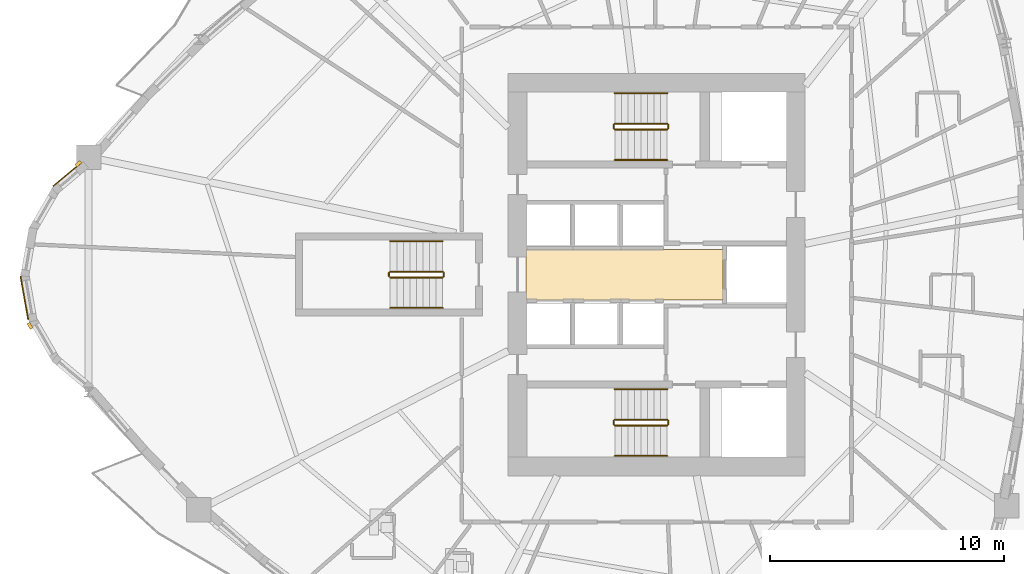
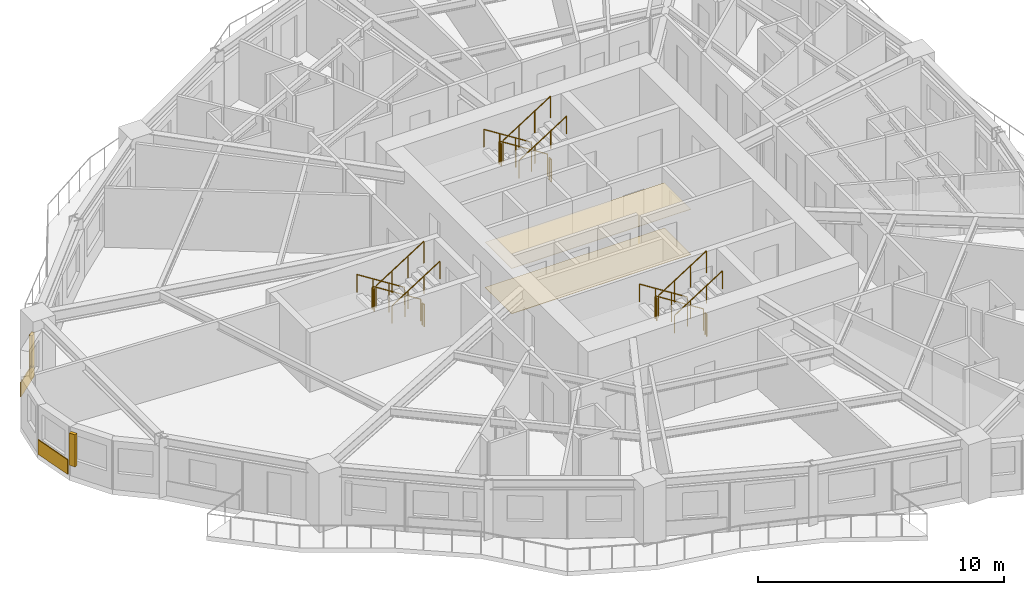
# One storey, part 12 of 14: 18 railings, 4 coverings, 2 shading devices.
"""IFC4 building model written with IfcOpenShell, lengths in metres."""

from ifc_helpers import new_model, si_unit, direction, frame, origin, origin_2d, place, context, subcontext, project, spatial, polyline, rectangle, circle, outline, extrude, source, transform, mapped, material, layer, layer_set, type_object, element, save


model = new_model("IFC4")

# Units and contexts
model_context = context("Model", 3, precision=1e-05, world=origin(), true_north=direction((0.0, 1.0)))
body_context = subcontext(model_context, "Body", "Model", "MODEL_VIEW")
ifc_project = project(units=[si_unit("LENGTHUNIT", "METRE"), si_unit("AREAUNIT", "SQUARE_METRE"), si_unit("VOLUMEUNIT", "CUBIC_METRE"), si_unit("PLANEANGLEUNIT", "RADIAN"), si_unit("MASSUNIT", "GRAM", prefix="KILO")], contexts=[model_context])

# Site, building, storey
site_placement = place(None, origin())
site = spatial("IfcSite", under=ifc_project, at=site_placement, CompositionType="ELEMENT")
building_placement = place(site_placement, origin())
building = spatial("IfcBuilding", under=site, at=building_placement, Name="Qafzar Sky-Pleat Residences", CompositionType="ELEMENT")
storey_placement = place(building_placement, frame((0.0, 0.0, 39.800048828125)))
storey = spatial("IfcBuildingStorey", under=building, at=storey_placement, Name="L11", CompositionType="ELEMENT", Elevation=39.800048828125)

# Coverings
ifc_material_1 = material(Name="Perforated acoustic gypsum board ceiling")
ifc_layer_1 = layer(ifc_material_1, 0.02001953125)
ifc_layer_set_1 = layer_set([ifc_layer_1], Name="Perforated acoustic gypsum board ceiling")
covering_type_1 = type_object("IfcCoveringType", Name="COV-CEIL-ACOUSTIC", PredefinedType="CEILING", material=ifc_layer_set_1)
covering_1_placement = place(storey_placement, frame((0.0, 0.0, 2.239990234375)))
element("IfcCovering", 1, at=covering_1_placement, inside=storey, type_object=covering_type_1, Name="L11 Passenger Lift Lobby Acoustic Ceiling", PredefinedType="CEILING", context=body_context, shape_type="SweptSolid", body=[
    extrude(outline(polyline([(33.179931640625, 24.919921875), (24.77001953125, 24.919921875), (24.77001953125, 27.080078125), (33.179931640625, 27.080078125), (33.179931640625, 24.919921875)])), origin(), (0.0, 0.0, 1.0), 0.02001953125),
])
ifc_material_2 = material(Name="Honed porcelain and Riyadh stone tile flooring", Category="masonry")
ifc_layer_2 = layer(ifc_material_2, 0.02001953125)
ifc_layer_set_2 = layer_set([ifc_layer_2], Name="Honed porcelain and Riyadh stone tile flooring")
covering_type_2 = type_object("IfcCoveringType", Name="COV-FLR-PORCELAIN", PredefinedType="FLOORING", material=ifc_layer_set_2)
covering_2_placement = place(storey_placement, origin())
element("IfcCovering", 2, at=covering_2_placement, inside=storey, type_object=covering_type_2, Name="L11 Passenger Lift Lobby Honed Stone Flooring", PredefinedType="FLOORING", context=body_context, shape_type="SweptSolid", body=[
    extrude(outline(polyline([(33.179931640625, 24.919921875), (24.77001953125, 24.919921875), (24.77001953125, 27.080078125), (33.179931640625, 27.080078125), (33.179931640625, 24.919921875)])), origin(), (0.0, 0.0, 1.0), 0.02001953125),
])
ifc_material_3 = material(Name="Honed Riyadh Tuwaiq limestone cladding", Category="masonry")
ifc_layer_3 = layer(ifc_material_3, 0.044921875)
ifc_layer_set_3 = layer_set([ifc_layer_3], Name="Honed Riyadh Tuwaiq limestone cladding")
covering_type_3 = type_object("IfcCoveringType", Name="COV-CLAD-STONE", PredefinedType="CLADDING", material=ifc_layer_set_3)
shared_shape_1 = source(origin(), body_context, "Body", "SweptSolid", [
    extrude(rectangle(XDim=1.5771484375, YDim=0.044921875, at=origin_2d()), origin(), (0.0, 0.0, 1.0), 0.719970703125),
])
covering_3_placement = place(storey_placement, frame((5.14990234375, 30.28369140625, 0.02001953125), z_axis=(0.0, 0.0, 1.0), x_axis=(-0.766074606481, -0.642751660678, 0.0)))
element("IfcCovering", 3, at=covering_3_placement, inside=storey, type_object=covering_type_3, Name="L11 Riyadh Limestone Spandrel Cladding 1", PredefinedType="CLADDING", context=body_context, shape_type="MappedRepresentation", body=[
    mapped(shared_shape_1, transform((0.0, 0.0, 0.0), x_axis=(1.0, 0.0, 0.0), y_axis=(0.0, 1.0, 0.0), z_axis=(0.0, 0.0, 1.0), scale=1.0)),
])

# Shading devices
ifc_material_4 = material(Name="Honed Riyadh limestone solar fin", Category="masonry")
ifc_layer_4 = layer(ifc_material_4, 0.139892578125)
ifc_layer_set_4 = layer_set([ifc_layer_4], Name="Honed Riyadh limestone solar fin")
shading_device_type = type_object("IfcShadingDeviceType", Name="SHD-FIN-STONE", PredefinedType="SHUTTER", material=ifc_layer_set_4)
shared_shape_2 = source(origin(), body_context, "Body", "SweptSolid", [
    extrude(rectangle(XDim=0.139892578125, YDim=0.280029296875, at=origin_2d()), origin(), (0.0, 0.0, 1.0), 1.60009765625),
])
for number, where, z_axis, x_axis, name in (
    (4, (5.627685546875, 30.740966796875, 0.599853515625), (0.0, 0.0, 1.0), (-0.642754210861, 0.76607246682, 0.0), "L11 Limestone Solar Fin 1"),
    (5, (3.5595703125, 23.80859375, 0.599853515625), (0.0, 0.0, 1.0), (-0.86604422228, -0.499967403994, 0.0), "L11 Limestone Solar Fin 5"),
):
    element("IfcShadingDevice", number, at=place(storey_placement, frame(where, z_axis=z_axis, x_axis=x_axis)), inside=storey, type_object=shading_device_type, Name=name, PredefinedType="SHUTTER", context=body_context, shape_type="MappedRepresentation", body=[
        mapped(shared_shape_2, transform((0.0, 0.0, 0.0), x_axis=(1.0, 0.0, 0.0), y_axis=(0.0, 1.0, 0.0), z_axis=(0.0, 0.0, 1.0), scale=1.0)),
    ])

# Covering
shared_shape_3 = source(origin(), body_context, "Body", "SweptSolid", [
    extrude(rectangle(XDim=1.88134765625, YDim=0.044921875, at=origin_2d()), origin(), (0.0, 0.0, 1.0), 0.719970703125),
])
covering_4_placement = place(storey_placement, frame((3.318115234375, 25.00439453125, 0.02001953125), z_axis=(0.0, 0.0, 1.0), x_axis=(0.173662519465, -0.984805224059, 0.0)))
element("IfcCovering", 6, at=covering_4_placement, inside=storey, type_object=covering_type_3, Name="L11 Riyadh Limestone Spandrel Cladding 4", PredefinedType="CLADDING", context=body_context, shape_type="MappedRepresentation", body=[
    mapped(shared_shape_3, transform((0.0, 0.0, 0.0), x_axis=(1.0, 0.0, 0.0), y_axis=(0.0, 1.0, 0.0), z_axis=(0.0, 0.0, 1.0), scale=1.0)),
])

# Railings
ifc_material_5 = material(Name="Painted Steel S355 stair guardrail", Category="steel")
railing_type_1 = type_object("IfcRailingType", Name="RAIL-STAIR-GUARD", PredefinedType="GUARDRAIL", material=ifc_material_5)
shared_shape_4 = source(origin(), body_context, "Body", "SweptSolid", [
    extrude(circle(Radius=0.02392578125, at=origin_2d()), frame((0.0, 0.0, 1.076171875), z_axis=(0.0, -1.0, 0.0), x_axis=(1.0, 0.0, 0.0)), (0.0, 0.0, 1.0), 0.14990234375),
    extrude(circle(Radius=0.02099609375, at=origin_2d()), origin(), (0.0, 0.0, 1.0), 1.052001953125),
    extrude(circle(Radius=0.02099609375, at=origin_2d()), frame((0.0, -0.14990234375, 0.0)), (0.0, 0.0, 1.0), 1.052001953125),
])
for number, where, name in (
    (7, (28.510009765625, 19.75, 1.599853515625), "L11 ST1 stair guard 2"),
    (8, (30.85009765625, 19.75, 0.0), "L11 ST1 stair guard 4"),
    (9, (28.510009765625, 32.39990234375, 1.599853515625), "L11 ST2 stair guard 2"),
    (10, (30.85009765625, 32.39990234375, 0.0), "L11 ST2 stair guard 4"),
    (11, (18.909912109375, 26.074951171875, 1.599853515625), "L11 ST3 stair guard 2"),
    (12, (21.25, 26.074951171875, 0.0), "L11 ST3 stair guard 4"),
):
    element("IfcRailing", number, at=place(storey_placement, frame(where)), inside=storey, type_object=railing_type_1, Name=name, PredefinedType="GUARDRAIL", context=body_context, shape_type="MappedRepresentation", body=[
        mapped(shared_shape_4, transform((0.0, 0.0, 0.0), x_axis=(1.0, 0.0, 0.0), y_axis=(0.0, 1.0, 0.0), z_axis=(0.0, 0.0, 1.0), scale=1.0)),
    ])
shared_shape_5 = source(origin(), body_context, "Body", "SweptSolid", [
    extrude(circle(Radius=0.02392578125, at=origin_2d()), frame((0.0, 0.0, 1.076171875), z_axis=(-0.8442293374, 0.0, 0.53598211339), x_axis=(0.0, -1.0, 0.0)), (0.0, 0.0, 1.0), 2.6533203125),
    extrude(circle(Radius=0.02099609375, at=origin_2d()), origin(), (0.0, 0.0, 1.0), 1.052001953125),
    extrude(circle(Radius=0.02099609375, at=origin_2d()), frame((-0.74658203125, 0.0, 0.47412109375)), (0.0, 0.0, 1.0), 1.052001953125),
    extrude(circle(Radius=0.02099609375, at=origin_2d()), frame((-1.493408203125, 0.0, 0.947998046875)), (0.0, 0.0, 1.0), 1.052001953125),
    extrude(circle(Radius=0.02099609375, at=origin_2d()), frame((-2.239990234375, 0.0, 1.422119140625)), (0.0, 0.0, 1.0), 1.052001953125),
])
for number, where, name in (
    (13, (30.800048828125, 19.800048828125, 0.177734375), "L11 ST1 stair guard 1"),
    (14, (30.800048828125, 32.449951171875, 0.177734375), "L11 ST2 stair guard 1"),
    (15, (21.199951171875, 26.125, 0.177734375), "L11 ST3 stair guard 1"),
):
    element("IfcRailing", number, at=place(storey_placement, frame(where)), inside=storey, type_object=railing_type_1, Name=name, PredefinedType="GUARDRAIL", context=body_context, shape_type="MappedRepresentation", body=[
        mapped(shared_shape_5, transform((0.0, 0.0, 0.0), x_axis=(1.0, 0.0, 0.0), y_axis=(0.0, 1.0, 0.0), z_axis=(0.0, 0.0, 1.0), scale=1.0)),
    ])
shared_shape_6 = source(origin(), body_context, "Body", "SweptSolid", [
    extrude(circle(Radius=0.02392578125, at=origin_2d()), frame((0.0, 0.0, 1.076171875), z_axis=(0.8442293374, 0.0, 0.53598211339), x_axis=(0.0, 1.0, 0.0)), (0.0, 0.0, 1.0), 2.6533203125),
    extrude(circle(Radius=0.02099609375, at=origin_2d()), origin(), (0.0, 0.0, 1.0), 1.052001953125),
    extrude(circle(Radius=0.02099609375, at=origin_2d()), frame((0.74658203125, 0.0, 0.47412109375)), (0.0, 0.0, 1.0), 1.052001953125),
    extrude(circle(Radius=0.02099609375, at=origin_2d()), frame((1.493408203125, 0.0, 0.947998046875)), (0.0, 0.0, 1.0), 1.052001953125),
    extrude(circle(Radius=0.02099609375, at=origin_2d()), frame((2.239990234375, 0.0, 1.422119140625)), (0.0, 0.0, 1.0), 1.052001953125),
])
for number, where, name in (
    (16, (28.56005859375, 19.550048828125, 1.77783203125), "L11 ST1 stair guard 3"),
    (17, (28.56005859375, 32.199951171875, 1.77783203125), "L11 ST2 stair guard 3"),
    (18, (18.9599609375, 25.875, 1.77783203125), "L11 ST3 stair guard 3"),
):
    element("IfcRailing", number, at=place(storey_placement, frame(where)), inside=storey, type_object=railing_type_1, Name=name, PredefinedType="GUARDRAIL", context=body_context, shape_type="MappedRepresentation", body=[
        mapped(shared_shape_6, transform((0.0, 0.0, 0.0), x_axis=(1.0, 0.0, 0.0), y_axis=(0.0, 1.0, 0.0), z_axis=(0.0, 0.0, 1.0), scale=1.0)),
    ])
ifc_material_6 = material(Name="Brushed stainless steel handrail", Category="steel")
railing_type_2 = type_object("IfcRailingType", Name="RAIL-STAIR-HAND", PredefinedType="HANDRAIL", material=ifc_material_6)
shared_shape_7 = source(origin(), body_context, "Body", "SweptSolid", [
    extrude(circle(Radius=0.02392578125, at=origin_2d()), frame((0.0, 0.0, 0.8759765625), z_axis=(-0.8442293374, 0.0, 0.53598211339), x_axis=(0.0, -1.0, 0.0)), (0.0, 0.0, 1.0), 2.6533203125),
    extrude(circle(Radius=0.02099609375, at=origin_2d()), origin(), (0.0, 0.0, 1.0), 0.851806640625),
    extrude(circle(Radius=0.02099609375, at=origin_2d()), frame((-0.74658203125, 0.0, 0.47412109375)), (0.0, 0.0, 1.0), 0.851806640625),
    extrude(circle(Radius=0.02099609375, at=origin_2d()), frame((-1.493408203125, 0.0, 0.947998046875)), (0.0, 0.0, 1.0), 0.851806640625),
    extrude(circle(Radius=0.02099609375, at=origin_2d()), frame((-2.239990234375, 0.0, 1.422119140625)), (0.0, 0.0, 1.0), 0.851806640625),
])
for number, where, name in (
    (19, (30.800048828125, 21.10009765625, 0.177734375), "L11 ST1 stair handrail 1"),
    (20, (30.800048828125, 33.75, 0.177734375), "L11 ST2 stair handrail 1"),
    (21, (21.199951171875, 27.425048828125, 0.177734375), "L11 ST3 stair handrail 1"),
):
    element("IfcRailing", number, at=place(storey_placement, frame(where)), inside=storey, type_object=railing_type_2, Name=name, PredefinedType="HANDRAIL", context=body_context, shape_type="MappedRepresentation", body=[
        mapped(shared_shape_7, transform((0.0, 0.0, 0.0), x_axis=(1.0, 0.0, 0.0), y_axis=(0.0, 1.0, 0.0), z_axis=(0.0, 0.0, 1.0), scale=1.0)),
    ])
shared_shape_8 = source(origin(), body_context, "Body", "SweptSolid", [
    extrude(circle(Radius=0.02392578125, at=origin_2d()), frame((0.0, 0.0, 0.8759765625), z_axis=(0.8442293374, 0.0, 0.53598211339), x_axis=(0.0, 1.0, 0.0)), (0.0, 0.0, 1.0), 2.6533203125),
    extrude(circle(Radius=0.02099609375, at=origin_2d()), origin(), (0.0, 0.0, 1.0), 0.851806640625),
    extrude(circle(Radius=0.02099609375, at=origin_2d()), frame((0.74658203125, 0.0, 0.47412109375)), (0.0, 0.0, 1.0), 0.851806640625),
    extrude(circle(Radius=0.02099609375, at=origin_2d()), frame((1.493408203125, 0.0, 0.947998046875)), (0.0, 0.0, 1.0), 0.851806640625),
    extrude(circle(Radius=0.02099609375, at=origin_2d()), frame((2.239990234375, 0.0, 1.422119140625)), (0.0, 0.0, 1.0), 0.851806640625),
])
for number, where, name in (
    (22, (28.56005859375, 18.25, 1.77783203125), "L11 ST1 stair handrail 2"),
    (23, (28.56005859375, 30.89990234375, 1.77783203125), "L11 ST2 stair handrail 2"),
    (24, (18.9599609375, 24.574951171875, 1.77783203125), "L11 ST3 stair handrail 2"),
):
    element("IfcRailing", number, at=place(storey_placement, frame(where)), inside=storey, type_object=railing_type_2, Name=name, PredefinedType="HANDRAIL", context=body_context, shape_type="MappedRepresentation", body=[
        mapped(shared_shape_8, transform((0.0, 0.0, 0.0), x_axis=(1.0, 0.0, 0.0), y_axis=(0.0, 1.0, 0.0), z_axis=(0.0, 0.0, 1.0), scale=1.0)),
    ])

save(model, "model.ifc")
